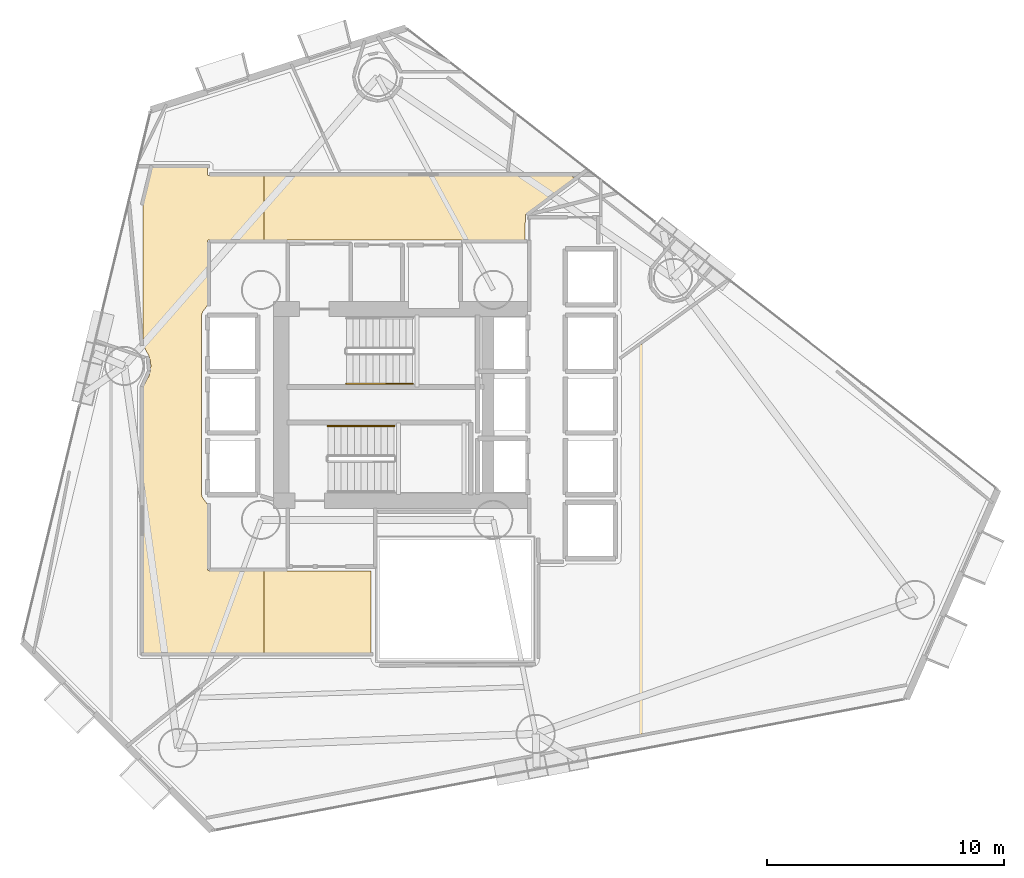
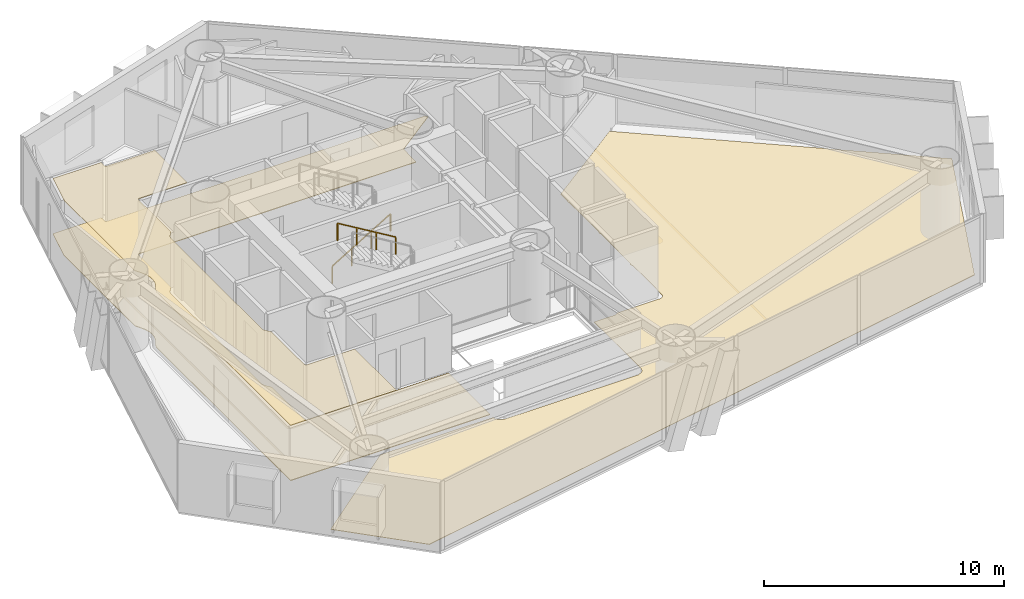
# One storey, part 21 of 23: 3 coverings, 2 railings.
"""IFC4 building model written with IfcOpenShell, lengths in metres."""

import ifcopenshell
import ifcopenshell.guid

model = None  # the IFC model being written
_history = None  # IfcOwnerHistory: only IFC2X3 demands one
_inside = {}  # id of a spatial element -> (the spatial element, [elements in it])
_under = {}  # id of a project, library or spatial element -> (it, [spatial elements below it])
_declared = {}  # id of a project -> (the project, [libraries it declares])
_typed = {}  # id of a type object -> (the type object, [elements of that type])
_made_of = {}  # id of a material, layer set ... -> (it, [elements and type objects made of it])


def new_model(schema):
    """Start an empty IFC model of exactly this schema.

    Asked for "IFC4X3", IfcOpenShell would pick the latest addendum, in which some entities
    have other attributes; the version numbers below select the first issue.
    IFC2X3 requires an IfcOwnerHistory on every rooted entity: one is made here for all.
    """
    global model, _history
    if schema == "IFC4X3":
        model = ifcopenshell.file(schema_version=(4, 3, 0, 0))
    else:
        model = ifcopenshell.file(schema=schema)
    _inside.clear()
    _under.clear()
    _declared.clear()
    _typed.clear()
    _made_of.clear()
    _history = None
    if model.schema == "IFC2X3":
        org = make("IfcOrganization", Name="unknown")
        user = make(
            "IfcPersonAndOrganization",
            ThePerson=make("IfcPerson", FamilyName="unknown"),
            TheOrganization=org,
        )
        app = make(
            "IfcApplication",
            ApplicationDeveloper=org,
            Version="unknown",
            ApplicationFullName="unknown",
            ApplicationIdentifier="unknown",
        )
        _history = make(
            "IfcOwnerHistory",
            OwningUser=user,
            OwningApplication=app,
            ChangeAction="ADDED",
            CreationDate=0,
        )
    return model


def make(cls, **values):
    """One entity of the class cls with the attributes given. An attribute that is None is left unset."""
    return model.create_entity(
        cls, **{name: value for name, value in values.items() if value is not None}
    )


def rooted(cls, **values):
    """An entity with a GlobalId (a new one), such as an element, a storey or a relation."""
    return make(cls, GlobalId=ifcopenshell.guid.new(), OwnerHistory=_history, **values)


def si_unit(unit_type, name, prefix=None):
    """IfcSIUnit, for example si_unit("LENGTHUNIT", "METRE", prefix="MILLI")."""
    return make("IfcSIUnit", UnitType=unit_type, Prefix=prefix, Name=name)


def assignment(units):
    """IfcUnitAssignment: the units of a project."""
    return None if units is None else make("IfcUnitAssignment", Units=units)


def point(xyz):
    """IfcCartesianPoint."""
    return None if xyz is None else make("IfcCartesianPoint", Coordinates=xyz)


def direction(xyz):
    """IfcDirection."""
    return None if xyz is None else make("IfcDirection", DirectionRatios=xyz)


def frame(location, z_axis=None, x_axis=None):
    """IfcAxis2Placement3D, a coordinate frame: its origin and axes. An axis left out is left unset."""
    return make(
        "IfcAxis2Placement3D",
        Location=point(location),
        Axis=direction(z_axis),
        RefDirection=direction(x_axis),
    )


def frame_2d(location, x_axis=None):
    """IfcAxis2Placement2D, a coordinate frame in the plane: its origin and x axis."""
    return make(
        "IfcAxis2Placement2D", Location=point(location), RefDirection=direction(x_axis)
    )


def origin():
    """The frame at (0, 0, 0) with its axes left unset."""
    return frame((0.0, 0.0, 0.0))


def origin_2d():
    """The frame at (0, 0) in the plane with its x axis left unset."""
    return frame_2d((0.0, 0.0))


def place(relative_to, where):
    """IfcLocalPlacement: puts the frame where relative to a parent placement (None: the world)."""
    return make(
        "IfcLocalPlacement", PlacementRelTo=relative_to, RelativePlacement=where
    )


def context(
    kind, dimensions, precision=None, world=None, true_north=None, identifier=None
):
    """IfcGeometricRepresentationContext, for example the 3D "Model" context."""
    return make(
        "IfcGeometricRepresentationContext",
        ContextIdentifier=identifier,
        ContextType=kind,
        CoordinateSpaceDimension=dimensions,
        Precision=precision,
        WorldCoordinateSystem=world,
        TrueNorth=true_north,
    )


def subcontext(parent, identifier, kind, view, scale=None):
    """IfcGeometricRepresentationSubContext, for example "Body" below "Model"."""
    return make(
        "IfcGeometricRepresentationSubContext",
        ContextIdentifier=identifier,
        ContextType=kind,
        ParentContext=parent,
        TargetScale=scale,
        TargetView=view,
    )


def project(units=None, contexts=None):
    """IfcProject with its units and contexts."""
    return rooted(
        "IfcProject",
        Name="project",
        RepresentationContexts=contexts,
        UnitsInContext=assignment(units),
    )


def spatial(cls, under=None, at=None, **own):
    """A site, building, storey or space (cls), placed at a placement, below another one or the project."""
    s = rooted(cls, ObjectPlacement=at, **own)
    if under is not None:
        _under.setdefault(under.id(), (under, []))[1].append(s)
    return s


def polyline(points):
    """IfcPolyline through the points."""
    return make("IfcPolyline", Points=[point(p) for p in points])


def profile(cls, at=None, kind="AREA", **sizes):
    """A parametric profile (cls). Its sizes go by their IFC names, for example OverallWidth=200.0."""
    return make(cls, ProfileType=kind, Position=at, **sizes)


def rectangle(**sizes):
    """IfcRectangleProfileDef."""
    return profile("IfcRectangleProfileDef", **sizes)


def outline(outer, holes=None, kind="AREA"):
    """IfcArbitraryClosedProfileDef: a profile drawn as a closed curve; with holes, ...WithVoids."""
    if holes is None:
        return make("IfcArbitraryClosedProfileDef", ProfileType=kind, OuterCurve=outer)
    return make(
        "IfcArbitraryProfileDefWithVoids",
        ProfileType=kind,
        OuterCurve=outer,
        InnerCurves=holes,
    )


def extrude(swept, where, along, depth):
    """IfcExtrudedAreaSolid: the profile swept, set in the frame where, extruded along a direction by depth."""
    return make(
        "IfcExtrudedAreaSolid",
        SweptArea=swept,
        Position=where,
        ExtrudedDirection=direction(along),
        Depth=depth,
    )


def shape(context_of_items, identifier, shape_type, items):
    """IfcShapeRepresentation: the items that make up one representation, for example the "Body"."""
    return make(
        "IfcShapeRepresentation",
        ContextOfItems=context_of_items,
        RepresentationIdentifier=identifier,
        RepresentationType=shape_type,
        Items=items,
    )


def material(Name=None, Category=None):
    """IfcMaterial."""
    return make("IfcMaterial", Name=Name, Category=Category)


def layer(
    of_material, thickness, ventilated=None, Name=None, Category=None, Priority=None
):
    """IfcMaterialLayer: one layer of a wall or slab, of a material (None: an air gap)."""
    return make(
        "IfcMaterialLayer",
        Material=of_material,
        LayerThickness=thickness,
        IsVentilated=ventilated,
        Name=Name,
        Category=Category,
        Priority=Priority,
    )


def layer_set(layers, Name=None):
    """IfcMaterialLayerSet."""
    return make("IfcMaterialLayerSet", MaterialLayers=layers, LayerSetName=Name)


def made_of(thing, what):
    """Note that an element or type object is made of a material, layer set ...; save() writes the relation."""
    if what is not None:
        _made_of.setdefault(what.id(), (what, []))[1].append(thing)
    return thing


def type_object(cls, material=None, **own):
    """A type object (cls), such as IfcWallType, which elements share."""
    return made_of(rooted(cls, **own), material)


def element(
    cls,
    number,
    at=None,
    inside=None,
    cuts=None,
    type_object=None,
    material=None,
    context=None,
    identifier="Body",
    shape_type=None,
    held_by="IfcProductDefinitionShape",
    body=None,
    shapes=None,
    **own,
):
    """One element of the class cls, such as IfcWall. Its Tag is "e" and its number.

    at: its placement. inside: the storey or other place that contains it. cuts: it is an
    opening in that element (IfcRelVoidsElement). A single representation is given by context,
    identifier, shape_type and body (its items); several are given by shapes. held_by: the class
    of the entity that holds the representations. save() writes the other relations.
    """
    e = rooted(cls, Tag="e%d" % number, ObjectPlacement=at, **own)
    if body is not None:
        shapes = [shape(context, identifier, shape_type, body)]
    if shapes is not None:
        e.Representation = make(held_by, Representations=shapes)
    if inside is not None:
        _inside.setdefault(inside.id(), (inside, []))[1].append(e)
    if cuts is not None:
        rooted(
            "IfcRelVoidsElement", RelatingBuildingElement=cuts, RelatedOpeningElement=e
        )
    if type_object is not None:
        _typed.setdefault(type_object.id(), (type_object, []))[1].append(e)
    return made_of(e, material)


def aggregate(whole, parts):
    """IfcRelAggregates: a whole, such as a stair, and the parts it consists of."""
    return rooted("IfcRelAggregates", RelatingObject=whole, RelatedObjects=parts)


def save(model, path):
    """Write the relations noted so far, then the file.

    IfcRelAggregates (storeys below a building ...), IfcRelContainedInSpatialStructure (elements
    in a storey), IfcRelDefinesByType, IfcRelAssociatesMaterial and IfcRelDeclares: one each for
    every whole, place, type object, material and project.
    """
    for whole, parts in _under.values():
        aggregate(whole, parts)
    for where, things in _inside.values():
        rooted(
            "IfcRelContainedInSpatialStructure",
            RelatedElements=things,
            RelatingStructure=where,
        )
    for kind, things in _typed.values():
        rooted("IfcRelDefinesByType", RelatedObjects=things, RelatingType=kind)
    for what, things in _made_of.values():
        rooted("IfcRelAssociatesMaterial", RelatedObjects=things, RelatingMaterial=what)
    for by, libraries in _declared.values():
        rooted("IfcRelDeclares", RelatingContext=by, RelatedDefinitions=libraries)
    model.write(path)


model = new_model("IFC4")

# Units and contexts
model_context = context("Model", 3, precision=1e-05, world=origin(), true_north=direction((0.0, 1.0)))
body_context = subcontext(model_context, "Body", "Model", "MODEL_VIEW")
ifc_project = project(units=[si_unit("LENGTHUNIT", "METRE"), si_unit("AREAUNIT", "SQUARE_METRE"), si_unit("VOLUMEUNIT", "CUBIC_METRE"), si_unit("PLANEANGLEUNIT", "RADIAN"), si_unit("MASSUNIT", "GRAM", prefix="KILO")], contexts=[model_context])

# Site, building, storey
site_placement = place(None, origin())
site = spatial("IfcSite", under=ifc_project, at=site_placement, CompositionType="ELEMENT")
building_placement = place(site_placement, origin())
building = spatial("IfcBuilding", under=site, at=building_placement, Name="Qianvela Tower", CompositionType="ELEMENT")
storey_placement = place(building_placement, frame((0.0, 0.0, 85.800048828125)))
storey = spatial("IfcBuildingStorey", under=building, at=storey_placement, Name="L21", CompositionType="ELEMENT", Elevation=85.800048828125)

# Coverings
ifc_material_1 = material(Name="Perforated Mineral Acoustic Ceiling Tile")
ifc_layer_1 = layer(ifc_material_1, 0.02490234375)
ifc_layer_set_1 = layer_set([ifc_layer_1], Name="Perforated Mineral Acoustic Ceiling Tile")
covering_type_1 = type_object("IfcCoveringType", Name="COV-CEIL-ACOUSTIC-25", PredefinedType="CEILING", material=ifc_layer_set_1)
covering_1_placement = place(storey_placement, frame((0.0, 0.0, 2.81494140625)))
element("IfcCovering", 1, at=covering_1_placement, inside=storey, type_object=covering_type_1, Name="L21 Acoustic Ceiling Bay 1 L21 Floor Corridor", PredefinedType="CEILING", context=body_context, shape_type="SweptSolid", body=[
    extrude(outline(polyline([(23.868408203125, 30.7705078125), (23.864990234375, 30.777587890625), (23.6298828125, 31.21728515625), (23.6298828125, 37.12744140625), (24.015380859375, 38.719970703125), (26.340087890625, 38.719970703125), (26.340087890625, 38.449951171875), (26.34033203125, 38.442138671875), (26.341552734375, 38.434326171875), (26.343505859375, 38.4267578125), (26.34619140625, 38.41943359375), (26.349365234375, 38.412353515625), (26.353515625, 38.405517578125), (26.358154296875, 38.399169921875), (26.36328125, 38.393310546875), (26.369140625, 38.38818359375), (26.37548828125, 38.383544921875), (26.38232421875, 38.37939453125), (26.389404296875, 38.376220703125), (26.396728515625, 38.373291015625), (26.404296875, 38.37158203125), (26.412109375, 38.370361328125), (26.419921875, 38.3701171875), (28.720458984375, 38.3701171875), (28.720458984375, 35.659912109375), (26.419921875, 35.659912109375), (26.412109375, 35.65966796875), (26.404296875, 35.658447265625), (26.396728515625, 35.656494140625), (26.389404296875, 35.65380859375), (26.38232421875, 35.650634765625), (26.37548828125, 35.646484375), (26.369140625, 35.641845703125), (26.36328125, 35.63671875), (26.358154296875, 35.630859375), (26.353515625, 35.62451171875), (26.349365234375, 35.61767578125), (26.34619140625, 35.610595703125), (26.343505859375, 35.603271484375), (26.341552734375, 35.595703125), (26.34033203125, 35.587890625), (26.340087890625, 35.580078125), (26.340087890625, 32.89599609375), (26.139404296875, 32.62548828125), (26.135498046875, 32.61962890625), (26.132080078125, 32.61376953125), (26.12939453125, 32.607421875), (26.126953125, 32.60107421875), (26.103515625, 32.523193359375), (26.1015625, 32.515625), (26.100341796875, 32.5078125), (26.10009765625, 32.5), (26.10009765625, 24.89990234375), (26.100341796875, 24.89208984375), (26.1015625, 24.884521484375), (26.103515625, 24.876708984375), (26.126953125, 24.799072265625), (26.12939453125, 24.79248046875), (26.132080078125, 24.786376953125), (26.135498046875, 24.7802734375), (26.139404296875, 24.774658203125), (26.340087890625, 24.50390625), (26.340087890625, 21.780029296875), (26.34033203125, 21.772216796875), (26.341552734375, 21.764404296875), (26.343505859375, 21.7568359375), (26.34619140625, 21.74951171875), (26.349365234375, 21.7421875), (26.353515625, 21.735595703125), (26.358154296875, 21.729248046875), (26.36328125, 21.723388671875), (26.369140625, 21.71826171875), (26.37548828125, 21.71337890625), (26.38232421875, 21.70947265625), (26.389404296875, 21.7060546875), (26.396728515625, 21.703369140625), (26.404296875, 21.701416015625), (26.412109375, 21.700439453125), (26.419921875, 21.699951171875), (28.720458984375, 21.699951171875), (28.720458984375, 18.22998046875), (23.6298828125, 18.22998046875), (23.6298828125, 29.462646484375), (23.864990234375, 29.90234375), (23.868408203125, 29.909423828125), (23.87109375, 29.9169921875), (23.930419921875, 30.11279296875), (23.932373046875, 30.12060546875), (23.93359375, 30.12841796875), (23.95361328125, 30.332275390625), (23.9541015625, 30.340087890625), (23.95361328125, 30.347900390625), (23.93359375, 30.5517578125), (23.932373046875, 30.5595703125), (23.930419921875, 30.567138671875), (23.87109375, 30.76318359375), (23.868408203125, 30.7705078125)])), origin(), (0.0, 0.0, 1.0), 0.02490234375),
])
ifc_material_2 = material(Name="Engineered Acoustic Oak Timber Flooring", Category="wood")
ifc_layer_2 = layer(ifc_material_2, 0.02001953125)
ifc_layer_set_2 = layer_set([ifc_layer_2], Name="Engineered Acoustic Oak Timber Flooring")
covering_type_2 = type_object("IfcCoveringType", Name="COV-FLOOR-OAK-20", PredefinedType="FLOORING", material=ifc_layer_set_2)
covering_2_placement = place(storey_placement, origin())
element("IfcCovering", 2, at=covering_2_placement, inside=storey, type_object=covering_type_2, Name="L21 Finish Flooring Quiet Desk Workspace L21-02", PredefinedType="FLOORING", context=body_context, shape_type="SweptSolid", body=[
    extrude(outline(polyline([(26.319091796875, 11.32568359375), (23.30615234375, 14.33740234375), (27.81201171875, 17.989990234375), (33.24609375, 17.989990234375), (33.252197265625, 17.912353515625), (33.25341796875, 17.904296875), (33.25537109375, 17.896240234375), (33.258056640625, 17.888427734375), (33.261474609375, 17.881103515625), (33.31298828125, 17.78466796875), (33.31689453125, 17.77783203125), (33.32177734375, 17.771484375), (33.326904296875, 17.765869140625), (33.332763671875, 17.760498046875), (33.417236328125, 17.691162109375), (33.42431640625, 17.68603515625), (33.431884765625, 17.681640625), (33.440185546875, 17.677978515625), (33.448486328125, 17.675537109375), (33.58056640625, 17.642333984375), (33.5869140625, 17.64111328125), (33.593505859375, 17.640380859375), (33.60009765625, 17.639892578125), (40.0, 17.639892578125), (40.009033203125, 17.640380859375), (40.018310546875, 17.64208984375), (40.027099609375, 17.644775390625), (40.20458984375, 17.708251953125), (40.211181640625, 17.7109375), (40.217529296875, 17.71435546875), (40.2236328125, 17.71826171875), (40.2294921875, 17.72265625), (40.234619140625, 17.7275390625), (40.239501953125, 17.73291015625), (40.308837890625, 17.8173828125), (40.31396484375, 17.824462890625), (40.318359375, 17.83203125), (40.322021484375, 17.840087890625), (40.324462890625, 17.8486328125), (40.357666015625, 17.980712890625), (40.35888671875, 17.987060546875), (40.359619140625, 17.993408203125), (40.360107421875, 18.0), (40.360107421875, 21.889892578125), (41.367919921875, 21.890380859375), (41.375732421875, 21.890869140625), (41.383544921875, 21.891845703125), (41.39111328125, 21.893798828125), (41.3984375, 21.896484375), (41.405517578125, 21.89990234375), (41.45947265625, 21.9287109375), (41.46630859375, 21.932861328125), (41.472900390625, 21.9375), (41.478759765625, 21.943115234375), (41.48388671875, 21.948974609375), (41.48876953125, 21.955322265625), (41.492919921875, 21.96240234375), (41.49609375, 21.969482421875), (41.498779296875, 21.97705078125), (41.49951171875, 21.97998046875), (43.59375, 21.980712890625), (43.6015625, 21.981201171875), (43.609375, 21.982177734375), (43.616943359375, 21.984130859375), (43.624267578125, 21.98681640625), (43.699462890625, 22.017822265625), (43.70654296875, 22.021240234375), (43.71337890625, 22.025390625), (43.719482421875, 22.02978515625), (43.725341796875, 22.03515625), (43.730712890625, 22.041015625), (43.7353515625, 22.04736328125), (43.780517578125, 22.114990234375), (43.784423828125, 22.12158203125), (43.78759765625, 22.12841796875), (43.790283203125, 22.135498046875), (43.792236328125, 22.142822265625), (43.79345703125, 22.150390625), (43.7939453125, 22.157958984375), (43.81298828125, 23.321044921875), (43.81298828125, 23.3232421875), (43.800048828125, 24.600830078125), (43.79931640625, 24.609619140625), (43.7978515625, 24.618408203125), (43.79541015625, 24.626953125), (43.763427734375, 24.7158203125), (43.760498046875, 24.722900390625), (43.7568359375, 24.72998046875), (43.75244140625, 24.736572265625), (43.74755859375, 24.742431640625), (43.741943359375, 24.748046875), (43.736083984375, 24.7529296875), (43.771240234375, 24.795654296875), (43.77587890625, 24.802001953125), (43.77978515625, 24.80859375), (43.783203125, 24.815673828125), (43.785888671875, 24.822998046875), (43.787841796875, 24.83056640625), (43.788818359375, 24.83837890625), (43.789306640625, 24.84619140625), (43.800048828125, 27.2998046875), (43.799560546875, 27.3076171875), (43.798583984375, 27.315673828125), (43.79638671875, 27.323486328125), (43.793701171875, 27.3310546875), (43.7646484375, 27.39990234375), (43.793701171875, 27.468994140625), (43.79638671875, 27.476318359375), (43.79833984375, 27.484130859375), (43.799560546875, 27.491943359375), (43.800048828125, 27.5), (43.800048828125, 29.89990234375), (43.799560546875, 29.907958984375), (43.79833984375, 29.915771484375), (43.79638671875, 29.923583984375), (43.793701171875, 29.93115234375), (43.765625, 29.997802734375), (43.79150390625, 30.051513671875), (43.794189453125, 30.05810546875), (43.79638671875, 30.06494140625), (43.798095703125, 30.072021484375), (43.799072265625, 30.0791015625), (43.79931640625, 30.086181640625), (43.800048828125, 30.643798828125), (47.838134765625, 33.57421875), (59.204833984375, 24.70849609375), (55.80029296875, 16.924560546875), (26.319091796875, 11.32568359375)])), origin(), (0.0, 0.0, 1.0), 0.02001953125),
])
ifc_material_3 = material(Name="Honed Stone Terrazzo Flooring", Category="masonry")
ifc_layer_3 = layer(ifc_material_3, 0.030029296875)
ifc_layer_set_3 = layer_set([ifc_layer_3], Name="Honed Stone Terrazzo Flooring")
covering_type_3 = type_object("IfcCoveringType", Name="COV-FLOOR-TERRAZZO-30", PredefinedType="FLOORING", material=ifc_layer_set_3)
covering_3_placement = place(storey_placement, origin())
element("IfcCovering", 3, at=covering_3_placement, inside=storey, type_object=covering_type_3, Name="L21 Finish Flooring L21 Floor Corridor", PredefinedType="FLOORING", context=body_context, shape_type="SweptSolid", body=[
    extrude(outline(polyline([(23.87109375, 30.76318359375), (23.868408203125, 30.7705078125), (23.864990234375, 30.777587890625), (23.6298828125, 31.21728515625), (23.6298828125, 37.12744140625), (24.015380859375, 38.719970703125), (26.340087890625, 38.719970703125), (26.340087890625, 38.449951171875), (26.34033203125, 38.442138671875), (26.341552734375, 38.434326171875), (26.343505859375, 38.4267578125), (26.34619140625, 38.41943359375), (26.349365234375, 38.412353515625), (26.353515625, 38.405517578125), (26.358154296875, 38.399169921875), (26.36328125, 38.393310546875), (26.369140625, 38.38818359375), (26.37548828125, 38.383544921875), (26.38232421875, 38.37939453125), (26.389404296875, 38.376220703125), (26.396728515625, 38.373291015625), (26.404296875, 38.37158203125), (26.412109375, 38.370361328125), (26.419921875, 38.3701171875), (41.689453125, 38.3701171875), (41.82177734375, 38.266845703125), (39.784423828125, 36.753662109375), (39.778076171875, 36.748291015625), (39.772216796875, 36.742431640625), (39.76708984375, 36.736083984375), (39.7626953125, 36.729248046875), (39.759033203125, 36.721923828125), (39.756103515625, 36.71435546875), (39.75390625, 36.70654296875), (39.752685546875, 36.698486328125), (39.752197265625, 36.690185546875), (39.739013671875, 35.659912109375), (26.419921875, 35.659912109375), (26.412109375, 35.65966796875), (26.404296875, 35.658447265625), (26.396728515625, 35.656494140625), (26.389404296875, 35.65380859375), (26.38232421875, 35.650634765625), (26.37548828125, 35.646484375), (26.369140625, 35.641845703125), (26.36328125, 35.63671875), (26.358154296875, 35.630859375), (26.353515625, 35.62451171875), (26.349365234375, 35.61767578125), (26.34619140625, 35.610595703125), (26.343505859375, 35.603271484375), (26.341552734375, 35.595703125), (26.34033203125, 35.587890625), (26.340087890625, 35.580078125), (26.340087890625, 32.89599609375), (26.139404296875, 32.62548828125), (26.135498046875, 32.61962890625), (26.132080078125, 32.61376953125), (26.12939453125, 32.607421875), (26.126953125, 32.60107421875), (26.103515625, 32.523193359375), (26.1015625, 32.515625), (26.100341796875, 32.5078125), (26.10009765625, 32.5), (26.10009765625, 24.89990234375), (26.100341796875, 24.89208984375), (26.1015625, 24.884521484375), (26.103515625, 24.876708984375), (26.126953125, 24.799072265625), (26.12939453125, 24.79248046875), (26.132080078125, 24.786376953125), (26.135498046875, 24.7802734375), (26.139404296875, 24.774658203125), (26.340087890625, 24.50390625), (26.340087890625, 21.780029296875), (26.34033203125, 21.772216796875), (26.341552734375, 21.764404296875), (26.343505859375, 21.7568359375), (26.34619140625, 21.74951171875), (26.349365234375, 21.7421875), (26.353515625, 21.735595703125), (26.358154296875, 21.729248046875), (26.36328125, 21.723388671875), (26.369140625, 21.71826171875), (26.37548828125, 21.71337890625), (26.38232421875, 21.70947265625), (26.389404296875, 21.7060546875), (26.396728515625, 21.703369140625), (26.404296875, 21.701416015625), (26.412109375, 21.700439453125), (26.419921875, 21.699951171875), (33.239990234375, 21.699951171875), (33.239990234375, 18.22998046875), (23.6298828125, 18.22998046875), (23.6298828125, 29.462646484375), (23.864990234375, 29.90234375), (23.868408203125, 29.909423828125), (23.87109375, 29.9169921875), (23.930419921875, 30.11279296875), (23.932373046875, 30.12060546875), (23.93359375, 30.12841796875), (23.95361328125, 30.332275390625), (23.9541015625, 30.340087890625), (23.95361328125, 30.347900390625), (23.93359375, 30.5517578125), (23.932373046875, 30.5595703125), (23.930419921875, 30.567138671875), (23.87109375, 30.76318359375)])), origin(), (0.0, 0.0, 1.0), 0.030029296875),
])

# Railings
ifc_material_4 = material(Name="Brushed Stainless Steel 304", Category="steel")
railing_type = type_object("IfcRailingType", Name="RL-STAIR-HANDRAIL-900", PredefinedType="HANDRAIL", material=ifc_material_4)
railing_1_placement = place(storey_placement, frame((32.199951171875, 29.590087890625, 0.168212890625)))
element("IfcRailing", 4, at=railing_1_placement, inside=storey, type_object=railing_type, Name="L21 ST-1 stair handrail 1", PredefinedType="HANDRAIL", context=body_context, shape_type="SweptSolid", body=[
    extrude(rectangle(XDim=0.050048828125, YDim=0.0400390625, at=origin_2d()), frame((0.0, 0.0, 0.8798828125), z_axis=(0.857275202839, 0.0, 0.514858452973), x_axis=(0.0, 1.0, 0.0)), (0.0, 0.0, 1.0), 3.26611328125),
    extrude(rectangle(XDim=0.050048828125, YDim=0.050048828125, at=origin_2d()), origin(), (0.0, 0.0, 1.0), 0.85986328125),
    extrude(rectangle(XDim=0.050048828125, YDim=0.050048828125, at=origin_2d()), frame((0.933349609375, 0.0, 0.560546875)), (0.0, 0.0, 1.0), 0.85986328125),
    extrude(rectangle(XDim=0.050048828125, YDim=0.050048828125, at=origin_2d()), frame((1.86669921875, 0.0, 1.12109375)), (0.0, 0.0, 1.0), 0.85986328125),
    extrude(rectangle(XDim=0.050048828125, YDim=0.050048828125, at=origin_2d()), frame((2.800048828125, 0.0, 1.681640625)), (0.0, 0.0, 1.0), 0.85986328125),
])
railing_2_placement = place(storey_placement, frame((34.219970703125, 27.81005859375, 2.01806640625)))
element("IfcRailing", 5, at=railing_2_placement, inside=storey, type_object=railing_type, Name="L21 ST-2 stair handrail 2", PredefinedType="HANDRAIL", context=body_context, shape_type="SweptSolid", body=[
    extrude(rectangle(XDim=0.050048828125, YDim=0.0400390625, at=origin_2d()), frame((0.0, 0.0, 0.8798828125), z_axis=(-0.857242210791, 0.0, 0.514913383045), x_axis=(0.0, -1.0, 0.0)), (0.0, 0.0, 1.0), 3.266357421875),
    extrude(rectangle(XDim=0.050048828125, YDim=0.050048828125, at=origin_2d()), origin(), (0.0, 0.0, 1.0), 0.85986328125),
    extrude(rectangle(XDim=0.050048828125, YDim=0.050048828125, at=origin_2d()), frame((-0.933349609375, 0.0, 0.560546875)), (0.0, 0.0, 1.0), 0.85986328125),
    extrude(rectangle(XDim=0.050048828125, YDim=0.050048828125, at=origin_2d()), frame((-1.86669921875, 0.0, 1.121337890625)), (0.0, 0.0, 1.0), 0.85986328125),
    extrude(rectangle(XDim=0.050048828125, YDim=0.050048828125, at=origin_2d()), frame((-2.800048828125, 0.0, 1.681884765625)), (0.0, 0.0, 1.0), 0.85986328125),
])

save(model, "model.ifc")
